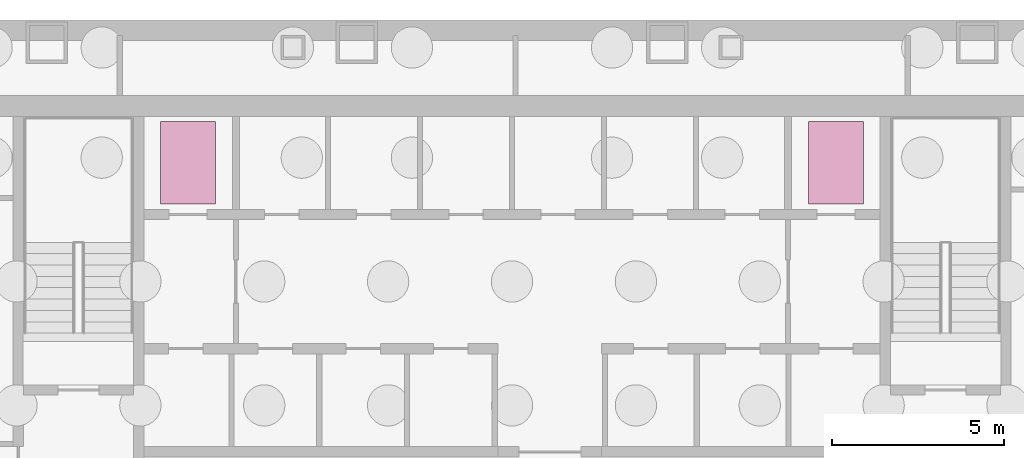
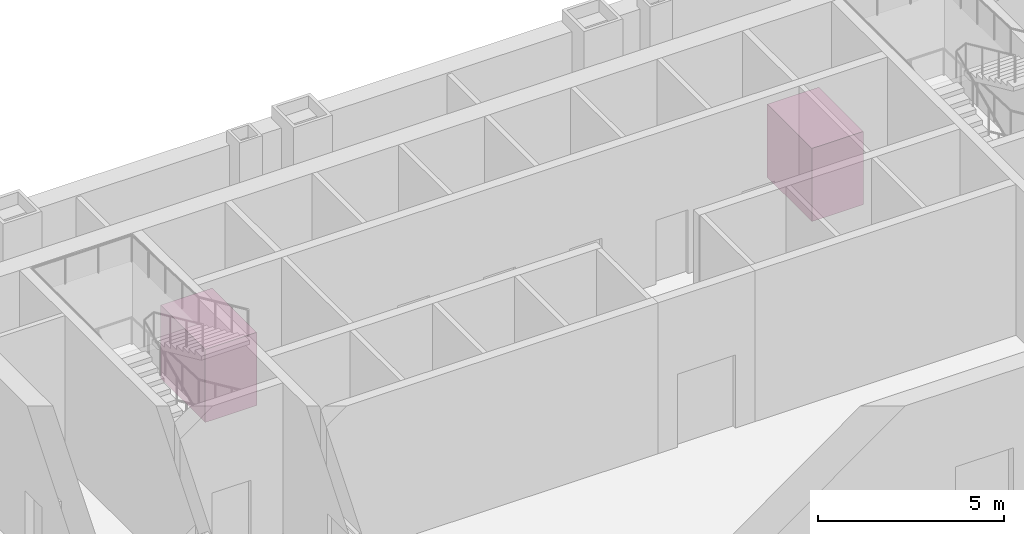
# One storey, part 19 of 19: 2 transport elements.
"""IFC4 building model written with IfcOpenShell, lengths in metres."""

import ifcopenshell
import ifcopenshell.guid

model = None  # the IFC model being written
_history = None  # IfcOwnerHistory: only IFC2X3 demands one
_inside = {}  # id of a spatial element -> (the spatial element, [elements in it])
_under = {}  # id of a project, library or spatial element -> (it, [spatial elements below it])
_declared = {}  # id of a project -> (the project, [libraries it declares])
_typed = {}  # id of a type object -> (the type object, [elements of that type])
_made_of = {}  # id of a material, layer set ... -> (it, [elements and type objects made of it])


def new_model(schema):
    """Start an empty IFC model of exactly this schema.

    Asked for "IFC4X3", IfcOpenShell would pick the latest addendum, in which some entities
    have other attributes; the version numbers below select the first issue.
    IFC2X3 requires an IfcOwnerHistory on every rooted entity: one is made here for all.
    """
    global model, _history
    if schema == "IFC4X3":
        model = ifcopenshell.file(schema_version=(4, 3, 0, 0))
    else:
        model = ifcopenshell.file(schema=schema)
    _inside.clear()
    _under.clear()
    _declared.clear()
    _typed.clear()
    _made_of.clear()
    _history = None
    if model.schema == "IFC2X3":
        org = make("IfcOrganization", Name="unknown")
        user = make(
            "IfcPersonAndOrganization",
            ThePerson=make("IfcPerson", FamilyName="unknown"),
            TheOrganization=org,
        )
        app = make(
            "IfcApplication",
            ApplicationDeveloper=org,
            Version="unknown",
            ApplicationFullName="unknown",
            ApplicationIdentifier="unknown",
        )
        _history = make(
            "IfcOwnerHistory",
            OwningUser=user,
            OwningApplication=app,
            ChangeAction="ADDED",
            CreationDate=0,
        )
    return model


def make(cls, **values):
    """One entity of the class cls with the attributes given. An attribute that is None is left unset."""
    return model.create_entity(
        cls, **{name: value for name, value in values.items() if value is not None}
    )


def rooted(cls, **values):
    """An entity with a GlobalId (a new one), such as an element, a storey or a relation."""
    return make(cls, GlobalId=ifcopenshell.guid.new(), OwnerHistory=_history, **values)


def si_unit(unit_type, name, prefix=None):
    """IfcSIUnit, for example si_unit("LENGTHUNIT", "METRE", prefix="MILLI")."""
    return make("IfcSIUnit", UnitType=unit_type, Prefix=prefix, Name=name)


def assignment(units):
    """IfcUnitAssignment: the units of a project."""
    return None if units is None else make("IfcUnitAssignment", Units=units)


def point(xyz):
    """IfcCartesianPoint."""
    return None if xyz is None else make("IfcCartesianPoint", Coordinates=xyz)


def direction(xyz):
    """IfcDirection."""
    return None if xyz is None else make("IfcDirection", DirectionRatios=xyz)


def frame(location, z_axis=None, x_axis=None):
    """IfcAxis2Placement3D, a coordinate frame: its origin and axes. An axis left out is left unset."""
    return make(
        "IfcAxis2Placement3D",
        Location=point(location),
        Axis=direction(z_axis),
        RefDirection=direction(x_axis),
    )


def frame_2d(location, x_axis=None):
    """IfcAxis2Placement2D, a coordinate frame in the plane: its origin and x axis."""
    return make(
        "IfcAxis2Placement2D", Location=point(location), RefDirection=direction(x_axis)
    )


def origin():
    """The frame at (0, 0, 0) with its axes left unset."""
    return frame((0.0, 0.0, 0.0))


def origin_2d():
    """The frame at (0, 0) in the plane with its x axis left unset."""
    return frame_2d((0.0, 0.0))


def place(relative_to, where):
    """IfcLocalPlacement: puts the frame where relative to a parent placement (None: the world)."""
    return make(
        "IfcLocalPlacement", PlacementRelTo=relative_to, RelativePlacement=where
    )


def context(
    kind, dimensions, precision=None, world=None, true_north=None, identifier=None
):
    """IfcGeometricRepresentationContext, for example the 3D "Model" context."""
    return make(
        "IfcGeometricRepresentationContext",
        ContextIdentifier=identifier,
        ContextType=kind,
        CoordinateSpaceDimension=dimensions,
        Precision=precision,
        WorldCoordinateSystem=world,
        TrueNorth=true_north,
    )


def subcontext(parent, identifier, kind, view, scale=None):
    """IfcGeometricRepresentationSubContext, for example "Body" below "Model"."""
    return make(
        "IfcGeometricRepresentationSubContext",
        ContextIdentifier=identifier,
        ContextType=kind,
        ParentContext=parent,
        TargetScale=scale,
        TargetView=view,
    )


def project(units=None, contexts=None):
    """IfcProject with its units and contexts."""
    return rooted(
        "IfcProject",
        Name="project",
        RepresentationContexts=contexts,
        UnitsInContext=assignment(units),
    )


def spatial(cls, under=None, at=None, **own):
    """A site, building, storey or space (cls), placed at a placement, below another one or the project."""
    s = rooted(cls, ObjectPlacement=at, **own)
    if under is not None:
        _under.setdefault(under.id(), (under, []))[1].append(s)
    return s


def profile(cls, at=None, kind="AREA", **sizes):
    """A parametric profile (cls). Its sizes go by their IFC names, for example OverallWidth=200.0."""
    return make(cls, ProfileType=kind, Position=at, **sizes)


def rectangle(**sizes):
    """IfcRectangleProfileDef."""
    return profile("IfcRectangleProfileDef", **sizes)


def extrude(swept, where, along, depth):
    """IfcExtrudedAreaSolid: the profile swept, set in the frame where, extruded along a direction by depth."""
    return make(
        "IfcExtrudedAreaSolid",
        SweptArea=swept,
        Position=where,
        ExtrudedDirection=direction(along),
        Depth=depth,
    )


def shape(context_of_items, identifier, shape_type, items):
    """IfcShapeRepresentation: the items that make up one representation, for example the "Body"."""
    return make(
        "IfcShapeRepresentation",
        ContextOfItems=context_of_items,
        RepresentationIdentifier=identifier,
        RepresentationType=shape_type,
        Items=items,
    )


def material(Name=None, Category=None):
    """IfcMaterial."""
    return make("IfcMaterial", Name=Name, Category=Category)


def made_of(thing, what):
    """Note that an element or type object is made of a material, layer set ...; save() writes the relation."""
    if what is not None:
        _made_of.setdefault(what.id(), (what, []))[1].append(thing)
    return thing


def type_object(cls, material=None, **own):
    """A type object (cls), such as IfcWallType, which elements share."""
    return made_of(rooted(cls, **own), material)


def element(
    cls,
    number,
    at=None,
    inside=None,
    cuts=None,
    type_object=None,
    material=None,
    context=None,
    identifier="Body",
    shape_type=None,
    held_by="IfcProductDefinitionShape",
    body=None,
    shapes=None,
    **own,
):
    """One element of the class cls, such as IfcWall. Its Tag is "e" and its number.

    at: its placement. inside: the storey or other place that contains it. cuts: it is an
    opening in that element (IfcRelVoidsElement). A single representation is given by context,
    identifier, shape_type and body (its items); several are given by shapes. held_by: the class
    of the entity that holds the representations. save() writes the other relations.
    """
    e = rooted(cls, Tag="e%d" % number, ObjectPlacement=at, **own)
    if body is not None:
        shapes = [shape(context, identifier, shape_type, body)]
    if shapes is not None:
        e.Representation = make(held_by, Representations=shapes)
    if inside is not None:
        _inside.setdefault(inside.id(), (inside, []))[1].append(e)
    if cuts is not None:
        rooted(
            "IfcRelVoidsElement", RelatingBuildingElement=cuts, RelatedOpeningElement=e
        )
    if type_object is not None:
        _typed.setdefault(type_object.id(), (type_object, []))[1].append(e)
    return made_of(e, material)


def aggregate(whole, parts):
    """IfcRelAggregates: a whole, such as a stair, and the parts it consists of."""
    return rooted("IfcRelAggregates", RelatingObject=whole, RelatedObjects=parts)


def save(model, path):
    """Write the relations noted so far, then the file.

    IfcRelAggregates (storeys below a building ...), IfcRelContainedInSpatialStructure (elements
    in a storey), IfcRelDefinesByType, IfcRelAssociatesMaterial and IfcRelDeclares: one each for
    every whole, place, type object, material and project.
    """
    for whole, parts in _under.values():
        aggregate(whole, parts)
    for where, things in _inside.values():
        rooted(
            "IfcRelContainedInSpatialStructure",
            RelatedElements=things,
            RelatingStructure=where,
        )
    for kind, things in _typed.values():
        rooted("IfcRelDefinesByType", RelatedObjects=things, RelatingType=kind)
    for what, things in _made_of.values():
        rooted("IfcRelAssociatesMaterial", RelatedObjects=things, RelatingMaterial=what)
    for by, libraries in _declared.values():
        rooted("IfcRelDeclares", RelatingContext=by, RelatedDefinitions=libraries)
    model.write(path)


model = new_model("IFC4")

# Units and contexts
model_context = context("Model", 3, precision=1e-05, world=origin(), true_north=direction((0.0, 1.0)))
body_context = subcontext(model_context, "Body", "Model", "MODEL_VIEW")
ifc_project = project(units=[si_unit("LENGTHUNIT", "METRE"), si_unit("AREAUNIT", "SQUARE_METRE"), si_unit("VOLUMEUNIT", "CUBIC_METRE"), si_unit("PLANEANGLEUNIT", "RADIAN"), si_unit("MASSUNIT", "GRAM", prefix="KILO")], contexts=[model_context])

# Site, building, storey
site_placement = place(None, origin())
site = spatial("IfcSite", under=ifc_project, at=site_placement, CompositionType="ELEMENT")
building_placement = place(site_placement, origin())
building = spatial("IfcBuilding", under=site, at=building_placement, Name="Njiva Tower", CompositionType="ELEMENT")
storey_placement = place(building_placement, frame((0.0, 0.0, -16.8)))
storey = spatial("IfcBuildingStorey", under=building, at=storey_placement, Name="B3", CompositionType="ELEMENT", Elevation=-16.8)

# Transport elements
ifc_material = material(Name="Stainless steel car", Category="steel")
transport_element_type = type_object("IfcTransportElementType", Name="LF4 Firefighting lift 1600 kg", PredefinedType="ELEVATOR", material=ifc_material)
for number, where, z_axis, x_axis, name in (
    (1, (-9.4125, 16.05, 0.0), (0.0, 0.0, 1.0), (1.0, 0.0, 0.0), "Lift FF1 car"),
    (2, (9.4125, 16.05, 0.0), (0.0, 0.0, 1.0), (1.0, 0.0, 0.0), "Lift FF2 car"),
):
    element("IfcTransportElement", number, at=place(storey_placement, frame(where, z_axis=z_axis, x_axis=x_axis)), inside=storey, type_object=transport_element_type, Name=name, PredefinedType="ELEVATOR", context=body_context, shape_type="SweptSolid", body=[
        extrude(rectangle(XDim=1.6, YDim=2.4, at=origin_2d()), origin(), (0.0, 0.0, 1.0), 2.4),
    ])

save(model, "model.ifc")
